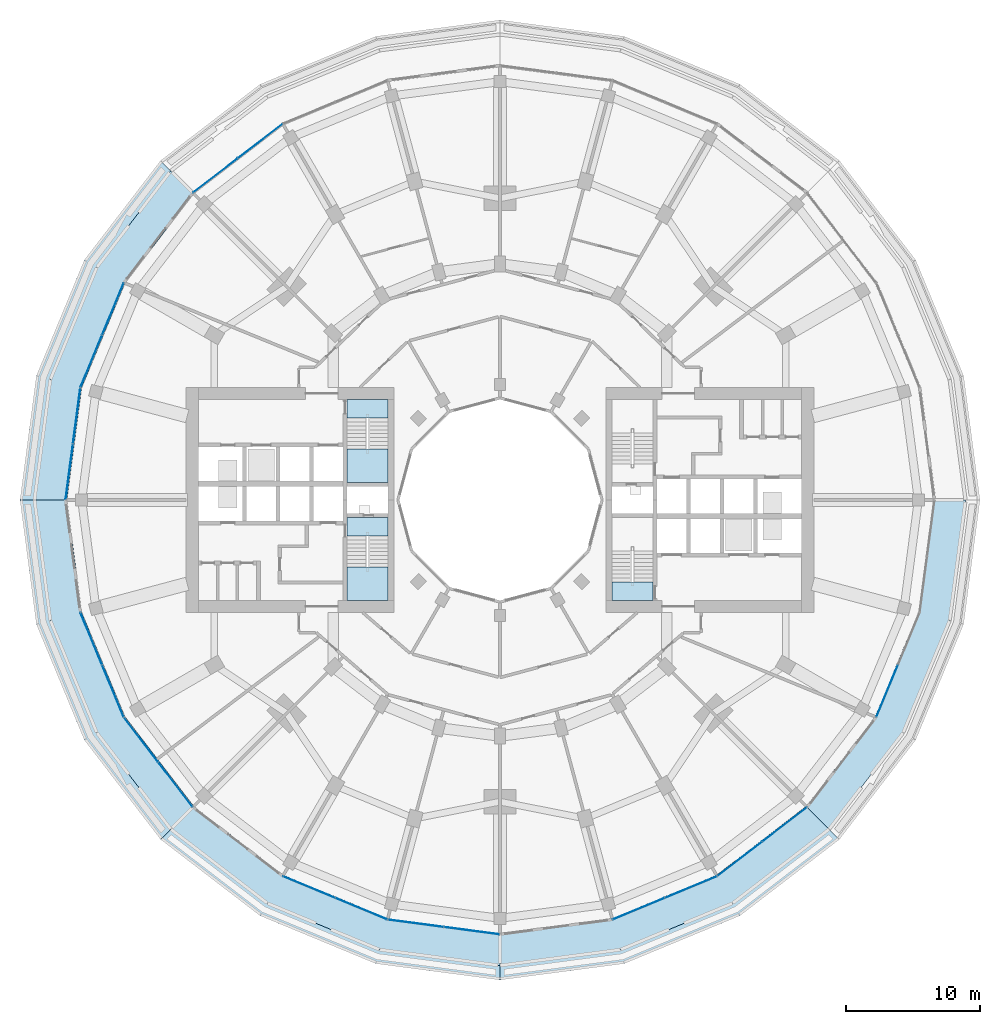
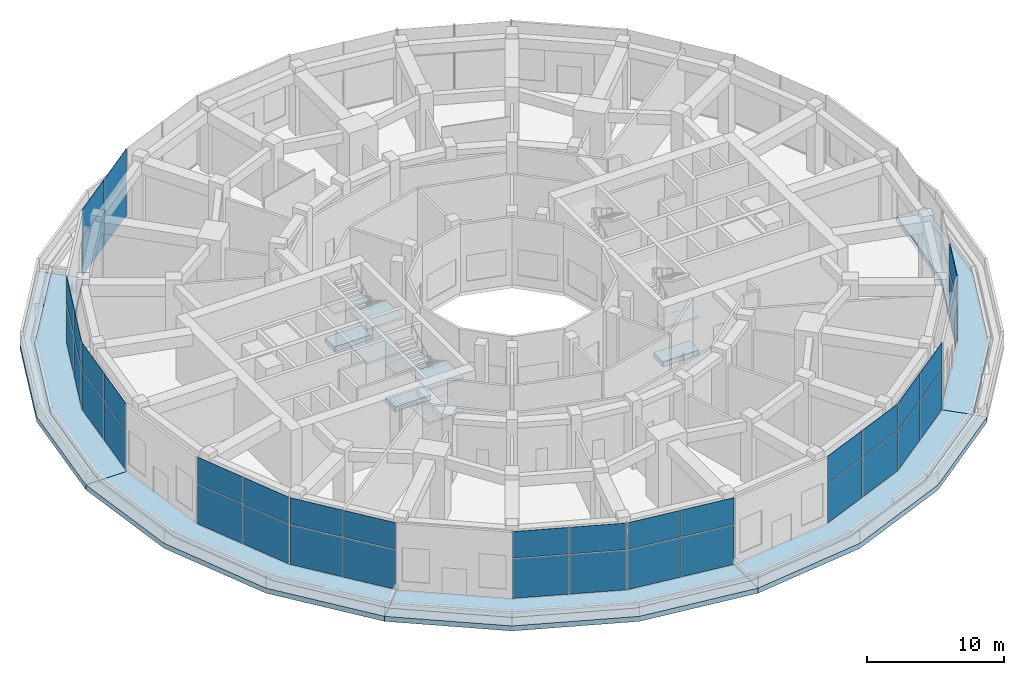
# One storey, part 13 of 23: 38 plates, 19 slabs, 13 elements without a shape of their own.
"""IFC4 building model written with IfcOpenShell, lengths in metres."""

from ifc_helpers import new_model, si_unit, direction, frame, origin, origin_2d, place, context, subcontext, project, spatial, polyline, rectangle, outline, extrude, material, layer, layer_set, type_object, element, aggregate, save


model = new_model("IFC4")

# Units and contexts
model_context = context("Model", 3, precision=1e-05, world=origin(), true_north=direction((0.0, 1.0)))
body_context = subcontext(model_context, "Body", "Model", "MODEL_VIEW")
ifc_project = project(units=[si_unit("LENGTHUNIT", "METRE"), si_unit("AREAUNIT", "SQUARE_METRE"), si_unit("VOLUMEUNIT", "CUBIC_METRE"), si_unit("PLANEANGLEUNIT", "RADIAN"), si_unit("MASSUNIT", "GRAM", prefix="KILO")], contexts=[model_context])

# Site, building, storey
site_placement = place(None, origin())
site = spatial("IfcSite", under=ifc_project, at=site_placement, CompositionType="ELEMENT")
building_placement = place(site_placement, origin())
building = spatial("IfcBuilding", under=site, at=building_placement, Name="Torre Brocal", CompositionType="ELEMENT")
storey_placement = place(building_placement, frame((0.0, 0.0, 17.800048828125)))
storey = spatial("IfcBuildingStorey", under=building, at=storey_placement, Name="L03", CompositionType="ELEMENT", Elevation=17.800048828125)

# Curtain wall, plates
ifc_material_1 = material(Name="Aluminium and glass", Category="aluminium")
ifc_layer_1 = layer(ifc_material_1, 0.199951171875)
ifc_layer_set_1 = layer_set([ifc_layer_1], Name="Aluminium and glass")
curtain_wall_type = type_object("IfcCurtainWallType", Name="CW-6 CURTAIN WALL 6000 HIGH", PredefinedType="NOTDEFINED", material=ifc_layer_set_1)
curtain_wall_1_placement = place(storey_placement, origin())
curtain_wall_1 = element("IfcCurtainWall", 1, at=curtain_wall_1_placement, inside=storey, type_object=curtain_wall_type, Name="CW-6 RUN 9", PredefinedType="NOTDEFINED")
ifc_material_2 = material(Name="Glass, dark tinted laminated", Category="glass")
ifc_layer_2 = layer(ifc_material_2, 0.028076171875)
ifc_layer_set_2 = layer_set([ifc_layer_2], Name="Glass, dark tinted laminated")
plate_type = type_object("IfcPlateType", Name="CW-6 GLASS PANEL 28", PredefinedType="CURTAIN_PANEL", material=ifc_layer_set_2)
plate_1_placement = place(storey_placement, frame((62.113037109375, 101.763671875, 0.06982421875), z_axis=(0.0, 0.0, 1.0), x_axis=(-0.793353340291, -0.608761429009, 0.0)))
plate_1 = element("IfcPlate", 2, at=plate_1_placement, type_object=plate_type, Name="CW6-2 panel 1.1", PredefinedType="CURTAIN_PANEL", context=body_context, shape_type="SweptSolid", body=[
    extrude(rectangle(XDim=4.154052734375, YDim=0.028076171875, at=origin_2d()), origin(), (0.0, 0.0, 1.0), 3.4951171875),
])
plate_2_placement = place(storey_placement, frame((62.113037109375, 101.763671875, 3.634765625), z_axis=(0.0, 0.0, 1.0), x_axis=(-0.793353340291, -0.608761429009, 0.0)))
plate_2 = element("IfcPlate", 3, at=plate_2_placement, type_object=plate_type, Name="CW6-2 panel 1.2", PredefinedType="CURTAIN_PANEL", context=body_context, shape_type="SweptSolid", body=[
    extrude(rectangle(XDim=4.154052734375, YDim=0.028076171875, at=origin_2d()), origin(), (0.0, 0.0, 1.0), 2.364990234375),
])
plate_3_placement = place(storey_placement, frame((58.77783203125, 99.204345703125, 0.06982421875), z_axis=(0.0, 0.0, 1.0), x_axis=(-0.793353340291, -0.608761429009, 0.0)))
plate_3 = element("IfcPlate", 4, at=plate_3_placement, type_object=plate_type, Name="CW6-2 panel 2.1", PredefinedType="CURTAIN_PANEL", context=body_context, shape_type="SweptSolid", body=[
    extrude(rectangle(XDim=4.154052734375, YDim=0.028076171875, at=origin_2d()), origin(), (0.0, 0.0, 1.0), 3.4951171875),
])
plate_4_placement = place(storey_placement, frame((58.77783203125, 99.204345703125, 3.634765625), z_axis=(0.0, 0.0, 1.0), x_axis=(-0.793353340291, -0.608761429009, 0.0)))
plate_4 = element("IfcPlate", 5, at=plate_4_placement, type_object=plate_type, Name="CW6-2 panel 2.2", PredefinedType="CURTAIN_PANEL", context=body_context, shape_type="SweptSolid", body=[
    extrude(rectangle(XDim=4.154052734375, YDim=0.028076171875, at=origin_2d()), origin(), (0.0, 0.0, 1.0), 2.364990234375),
])
aggregate(curtain_wall_1, [plate_1, plate_2, plate_3, plate_4])

curtain_wall_2_placement = place(storey_placement, origin())
curtain_wall_2 = element("IfcCurtainWall", 6, at=curtain_wall_2_placement, inside=storey, type_object=curtain_wall_type, Name="CW-6 RUN 11", PredefinedType="NOTDEFINED")
plate_5_placement = place(storey_placement, frame((51.127685546875, 89.234619140625, 0.06982421875), z_axis=(0.0, 0.0, 1.0), x_axis=(-0.382683432301, -0.923879532538, 0.0)))
plate_5 = element("IfcPlate", 7, at=plate_5_placement, type_object=plate_type, Name="CW6-2 panel 1.1", PredefinedType="CURTAIN_PANEL", context=body_context, shape_type="SweptSolid", body=[
    extrude(rectangle(XDim=4.154052734375, YDim=0.028076171875, at=origin_2d()), origin(), (0.0, 0.0, 1.0), 3.4951171875),
])
plate_6_placement = place(storey_placement, frame((51.127685546875, 89.234619140625, 3.634765625), z_axis=(0.0, 0.0, 1.0), x_axis=(-0.382683432301, -0.923879532538, 0.0)))
plate_6 = element("IfcPlate", 8, at=plate_6_placement, type_object=plate_type, Name="CW6-2 panel 1.2", PredefinedType="CURTAIN_PANEL", context=body_context, shape_type="SweptSolid", body=[
    extrude(rectangle(XDim=4.154052734375, YDim=0.028076171875, at=origin_2d()), origin(), (0.0, 0.0, 1.0), 2.364990234375),
])
plate_7_placement = place(storey_placement, frame((49.518798828125, 85.3505859375, 0.06982421875), z_axis=(0.0, 0.0, 1.0), x_axis=(-0.382683432301, -0.923879532538, 0.0)))
plate_7 = element("IfcPlate", 9, at=plate_7_placement, type_object=plate_type, Name="CW6-2 panel 2.1", PredefinedType="CURTAIN_PANEL", context=body_context, shape_type="SweptSolid", body=[
    extrude(rectangle(XDim=4.154052734375, YDim=0.028076171875, at=origin_2d()), origin(), (0.0, 0.0, 1.0), 3.4951171875),
])
plate_8_placement = place(storey_placement, frame((49.518798828125, 85.3505859375, 3.634765625), z_axis=(0.0, 0.0, 1.0), x_axis=(-0.382683432301, -0.923879532538, 0.0)))
plate_8 = element("IfcPlate", 10, at=plate_8_placement, type_object=plate_type, Name="CW6-2 panel 2.2", PredefinedType="CURTAIN_PANEL", context=body_context, shape_type="SweptSolid", body=[
    extrude(rectangle(XDim=4.154052734375, YDim=0.028076171875, at=origin_2d()), origin(), (0.0, 0.0, 1.0), 2.364990234375),
])
aggregate(curtain_wall_2, [plate_5, plate_6, plate_7, plate_8])

curtain_wall_3_placement = place(storey_placement, origin())
curtain_wall_3 = element("IfcCurtainWall", 11, at=curtain_wall_3_placement, inside=storey, type_object=curtain_wall_type, Name="CW-6 RUN 12", PredefinedType="NOTDEFINED")
plate_9_placement = place(storey_placement, frame((48.42724609375, 81.27685546875, 0.06982421875), z_axis=(0.0, 0.0, 1.0), x_axis=(-0.130526192255, -0.991444861369, 0.0)))
plate_9 = element("IfcPlate", 12, at=plate_9_placement, type_object=plate_type, Name="CW6-2 panel 1.1", PredefinedType="CURTAIN_PANEL", context=body_context, shape_type="SweptSolid", body=[
    extrude(rectangle(XDim=4.154052734375, YDim=0.028076171875, at=origin_2d()), origin(), (0.0, 0.0, 1.0), 3.4951171875),
])
plate_10_placement = place(storey_placement, frame((48.42724609375, 81.27685546875, 3.634765625), z_axis=(0.0, 0.0, 1.0), x_axis=(-0.130526192255, -0.991444861369, 0.0)))
plate_10 = element("IfcPlate", 13, at=plate_10_placement, type_object=plate_type, Name="CW6-2 panel 1.2", PredefinedType="CURTAIN_PANEL", context=body_context, shape_type="SweptSolid", body=[
    extrude(rectangle(XDim=4.154052734375, YDim=0.028076171875, at=origin_2d()), origin(), (0.0, 0.0, 1.0), 2.364990234375),
])
plate_11_placement = place(storey_placement, frame((47.87841796875, 77.10888671875, 0.06982421875), z_axis=(0.0, 0.0, 1.0), x_axis=(-0.130526192255, -0.991444861369, 0.0)))
plate_11 = element("IfcPlate", 14, at=plate_11_placement, type_object=plate_type, Name="CW6-2 panel 2.1", PredefinedType="CURTAIN_PANEL", context=body_context, shape_type="SweptSolid", body=[
    extrude(rectangle(XDim=4.154052734375, YDim=0.028076171875, at=origin_2d()), origin(), (0.0, 0.0, 1.0), 3.4951171875),
])
plate_12_placement = place(storey_placement, frame((47.87841796875, 77.10888671875, 3.634765625), z_axis=(0.0, 0.0, 1.0), x_axis=(-0.130526192255, -0.991444861369, 0.0)))
plate_12 = element("IfcPlate", 15, at=plate_12_placement, type_object=plate_type, Name="CW6-2 panel 2.2", PredefinedType="CURTAIN_PANEL", context=body_context, shape_type="SweptSolid", body=[
    extrude(rectangle(XDim=4.154052734375, YDim=0.028076171875, at=origin_2d()), origin(), (0.0, 0.0, 1.0), 2.364990234375),
])
aggregate(curtain_wall_3, [plate_9, plate_10, plate_11, plate_12])

curtain_wall_4_placement = place(storey_placement, origin())
curtain_wall_4 = element("IfcCurtainWall", 16, at=curtain_wall_4_placement, inside=storey, type_object=curtain_wall_type, Name="CW-6 RUN 14", PredefinedType="NOTDEFINED")
plate_13_placement = place(storey_placement, frame((49.518798828125, 64.6494140625, 0.06982421875), z_axis=(0.0, 0.0, 1.0), x_axis=(0.382683432301, -0.923879532538, 0.0)))
plate_13 = element("IfcPlate", 17, at=plate_13_placement, type_object=plate_type, Name="CW6-2 panel 1.1", PredefinedType="CURTAIN_PANEL", context=body_context, shape_type="SweptSolid", body=[
    extrude(rectangle(XDim=4.154052734375, YDim=0.028076171875, at=origin_2d()), origin(), (0.0, 0.0, 1.0), 3.4951171875),
])
plate_14_placement = place(storey_placement, frame((49.518798828125, 64.6494140625, 3.634765625), z_axis=(0.0, 0.0, 1.0), x_axis=(0.382683432301, -0.923879532538, 0.0)))
plate_14 = element("IfcPlate", 18, at=plate_14_placement, type_object=plate_type, Name="CW6-2 panel 1.2", PredefinedType="CURTAIN_PANEL", context=body_context, shape_type="SweptSolid", body=[
    extrude(rectangle(XDim=4.154052734375, YDim=0.028076171875, at=origin_2d()), origin(), (0.0, 0.0, 1.0), 2.364990234375),
])
plate_15_placement = place(storey_placement, frame((51.127685546875, 60.765380859375, 0.06982421875), z_axis=(0.0, 0.0, 1.0), x_axis=(0.382683432301, -0.923879532538, 0.0)))
plate_15 = element("IfcPlate", 19, at=plate_15_placement, type_object=plate_type, Name="CW6-2 panel 2.1", PredefinedType="CURTAIN_PANEL", context=body_context, shape_type="SweptSolid", body=[
    extrude(rectangle(XDim=4.154052734375, YDim=0.028076171875, at=origin_2d()), origin(), (0.0, 0.0, 1.0), 3.4951171875),
])
plate_16_placement = place(storey_placement, frame((51.127685546875, 60.765380859375, 3.634765625), z_axis=(0.0, 0.0, 1.0), x_axis=(0.382683432301, -0.923879532538, 0.0)))
plate_16 = element("IfcPlate", 20, at=plate_16_placement, type_object=plate_type, Name="CW6-2 panel 2.2", PredefinedType="CURTAIN_PANEL", context=body_context, shape_type="SweptSolid", body=[
    extrude(rectangle(XDim=4.154052734375, YDim=0.028076171875, at=origin_2d()), origin(), (0.0, 0.0, 1.0), 2.364990234375),
])
aggregate(curtain_wall_4, [plate_13, plate_14, plate_15, plate_16])

curtain_wall_5_placement = place(storey_placement, origin())
curtain_wall_5 = element("IfcCurtainWall", 21, at=curtain_wall_5_placement, inside=storey, type_object=curtain_wall_type, Name="CW-6 RUN 15", PredefinedType="NOTDEFINED")
plate_17_placement = place(storey_placement, frame((53.236328125, 57.113037109375, 0.06982421875), z_axis=(0.0, 0.0, 1.0), x_axis=(0.608761429009, -0.793353340291, 0.0)))
plate_17 = element("IfcPlate", 22, at=plate_17_placement, type_object=plate_type, Name="CW6-2 panel 1.1", PredefinedType="CURTAIN_PANEL", context=body_context, shape_type="SweptSolid", body=[
    extrude(rectangle(XDim=4.154052734375, YDim=0.028076171875, at=origin_2d()), origin(), (0.0, 0.0, 1.0), 3.4951171875),
])
plate_18_placement = place(storey_placement, frame((53.236328125, 57.113037109375, 3.634765625), z_axis=(0.0, 0.0, 1.0), x_axis=(0.608761429009, -0.793353340291, 0.0)))
plate_18 = element("IfcPlate", 23, at=plate_18_placement, type_object=plate_type, Name="CW6-2 panel 1.2", PredefinedType="CURTAIN_PANEL", context=body_context, shape_type="SweptSolid", body=[
    extrude(rectangle(XDim=4.154052734375, YDim=0.028076171875, at=origin_2d()), origin(), (0.0, 0.0, 1.0), 2.364990234375),
])
plate_19_placement = place(storey_placement, frame((55.795654296875, 53.77783203125, 0.06982421875), z_axis=(0.0, 0.0, 1.0), x_axis=(0.608761429009, -0.793353340291, 0.0)))
plate_19 = element("IfcPlate", 24, at=plate_19_placement, type_object=plate_type, Name="CW6-2 panel 2.1", PredefinedType="CURTAIN_PANEL", context=body_context, shape_type="SweptSolid", body=[
    extrude(rectangle(XDim=4.154052734375, YDim=0.028076171875, at=origin_2d()), origin(), (0.0, 0.0, 1.0), 3.4951171875),
])
plate_20_placement = place(storey_placement, frame((55.795654296875, 53.77783203125, 3.634765625), z_axis=(0.0, 0.0, 1.0), x_axis=(0.608761429009, -0.793353340291, 0.0)))
plate_20 = element("IfcPlate", 25, at=plate_20_placement, type_object=plate_type, Name="CW6-2 panel 2.2", PredefinedType="CURTAIN_PANEL", context=body_context, shape_type="SweptSolid", body=[
    extrude(rectangle(XDim=4.154052734375, YDim=0.028076171875, at=origin_2d()), origin(), (0.0, 0.0, 1.0), 2.364990234375),
])
aggregate(curtain_wall_5, [plate_17, plate_18, plate_19, plate_20])

curtain_wall_6_placement = place(storey_placement, origin())
curtain_wall_6 = element("IfcCurtainWall", 26, at=curtain_wall_6_placement, inside=storey, type_object=curtain_wall_type, Name="CW-6 RUN 17", PredefinedType="NOTDEFINED")
plate_21_placement = place(storey_placement, frame((65.765380859375, 46.127685546875, 0.06982421875), z_axis=(0.0, 0.0, 1.0), x_axis=(0.923879532538, -0.382683432301, 0.0)))
plate_21 = element("IfcPlate", 27, at=plate_21_placement, type_object=plate_type, Name="CW6-2 panel 1.1", PredefinedType="CURTAIN_PANEL", context=body_context, shape_type="SweptSolid", body=[
    extrude(rectangle(XDim=4.154052734375, YDim=0.028076171875, at=origin_2d()), origin(), (0.0, 0.0, 1.0), 3.4951171875),
])
plate_22_placement = place(storey_placement, frame((65.765380859375, 46.127685546875, 3.634765625), z_axis=(0.0, 0.0, 1.0), x_axis=(0.923879532538, -0.382683432301, 0.0)))
plate_22 = element("IfcPlate", 28, at=plate_22_placement, type_object=plate_type, Name="CW6-2 panel 1.2", PredefinedType="CURTAIN_PANEL", context=body_context, shape_type="SweptSolid", body=[
    extrude(rectangle(XDim=4.154052734375, YDim=0.028076171875, at=origin_2d()), origin(), (0.0, 0.0, 1.0), 2.364990234375),
])
plate_23_placement = place(storey_placement, frame((69.6494140625, 44.518798828125, 0.06982421875), z_axis=(0.0, 0.0, 1.0), x_axis=(0.923879532538, -0.382683432301, 0.0)))
plate_23 = element("IfcPlate", 29, at=plate_23_placement, type_object=plate_type, Name="CW6-2 panel 2.1", PredefinedType="CURTAIN_PANEL", context=body_context, shape_type="SweptSolid", body=[
    extrude(rectangle(XDim=4.154052734375, YDim=0.028076171875, at=origin_2d()), origin(), (0.0, 0.0, 1.0), 3.4951171875),
])
plate_24_placement = place(storey_placement, frame((69.6494140625, 44.518798828125, 3.634765625), z_axis=(0.0, 0.0, 1.0), x_axis=(0.923879532538, -0.382683432301, 0.0)))
plate_24 = element("IfcPlate", 30, at=plate_24_placement, type_object=plate_type, Name="CW6-2 panel 2.2", PredefinedType="CURTAIN_PANEL", context=body_context, shape_type="SweptSolid", body=[
    extrude(rectangle(XDim=4.154052734375, YDim=0.028076171875, at=origin_2d()), origin(), (0.0, 0.0, 1.0), 2.364990234375),
])
aggregate(curtain_wall_6, [plate_21, plate_22, plate_23, plate_24])

curtain_wall_7_placement = place(storey_placement, origin())
curtain_wall_7 = element("IfcCurtainWall", 31, at=curtain_wall_7_placement, inside=storey, type_object=curtain_wall_type, Name="CW-6 RUN 18", PredefinedType="NOTDEFINED")
plate_25_placement = place(storey_placement, frame((73.72314453125, 43.42724609375, 0.06982421875), z_axis=(0.0, 0.0, 1.0), x_axis=(0.991444861369, -0.130526192255, 0.0)))
plate_25 = element("IfcPlate", 32, at=plate_25_placement, type_object=plate_type, Name="CW6-2 panel 1.1", PredefinedType="CURTAIN_PANEL", context=body_context, shape_type="SweptSolid", body=[
    extrude(rectangle(XDim=4.154052734375, YDim=0.028076171875, at=origin_2d()), origin(), (0.0, 0.0, 1.0), 3.4951171875),
])
plate_26_placement = place(storey_placement, frame((73.72314453125, 43.42724609375, 3.634765625), z_axis=(0.0, 0.0, 1.0), x_axis=(0.991444861369, -0.130526192255, 0.0)))
plate_26 = element("IfcPlate", 33, at=plate_26_placement, type_object=plate_type, Name="CW6-2 panel 1.2", PredefinedType="CURTAIN_PANEL", context=body_context, shape_type="SweptSolid", body=[
    extrude(rectangle(XDim=4.154052734375, YDim=0.028076171875, at=origin_2d()), origin(), (0.0, 0.0, 1.0), 2.364990234375),
])
plate_27_placement = place(storey_placement, frame((77.89111328125, 42.87841796875, 0.06982421875), z_axis=(0.0, 0.0, 1.0), x_axis=(0.991444861369, -0.130526192255, 0.0)))
plate_27 = element("IfcPlate", 34, at=plate_27_placement, type_object=plate_type, Name="CW6-2 panel 2.1", PredefinedType="CURTAIN_PANEL", context=body_context, shape_type="SweptSolid", body=[
    extrude(rectangle(XDim=4.154052734375, YDim=0.028076171875, at=origin_2d()), origin(), (0.0, 0.0, 1.0), 3.4951171875),
])
plate_28_placement = place(storey_placement, frame((77.89111328125, 42.87841796875, 3.634765625), z_axis=(0.0, 0.0, 1.0), x_axis=(0.991444861369, -0.130526192255, 0.0)))
plate_28 = element("IfcPlate", 35, at=plate_28_placement, type_object=plate_type, Name="CW6-2 panel 2.2", PredefinedType="CURTAIN_PANEL", context=body_context, shape_type="SweptSolid", body=[
    extrude(rectangle(XDim=4.154052734375, YDim=0.028076171875, at=origin_2d()), origin(), (0.0, 0.0, 1.0), 2.364990234375),
])
aggregate(curtain_wall_7, [plate_25, plate_26, plate_27, plate_28])

curtain_wall_8_placement = place(storey_placement, origin())
curtain_wall_8 = element("IfcCurtainWall", 36, at=curtain_wall_8_placement, inside=storey, type_object=curtain_wall_type, Name="CW-6 RUN 20", PredefinedType="NOTDEFINED")
plate_29_placement = place(storey_placement, frame((90.3505859375, 44.518798828125, 0.06982421875), z_axis=(0.0, 0.0, 1.0), x_axis=(0.923879532538, 0.382683432301, 0.0)))
plate_29 = element("IfcPlate", 37, at=plate_29_placement, type_object=plate_type, Name="CW6-2 panel 1.1", PredefinedType="CURTAIN_PANEL", context=body_context, shape_type="SweptSolid", body=[
    extrude(rectangle(XDim=4.154052734375, YDim=0.028076171875, at=origin_2d()), origin(), (0.0, 0.0, 1.0), 3.4951171875),
])
plate_30_placement = place(storey_placement, frame((90.3505859375, 44.518798828125, 3.634765625), z_axis=(0.0, 0.0, 1.0), x_axis=(0.923879532538, 0.382683432301, 0.0)))
plate_30 = element("IfcPlate", 38, at=plate_30_placement, type_object=plate_type, Name="CW6-2 panel 1.2", PredefinedType="CURTAIN_PANEL", context=body_context, shape_type="SweptSolid", body=[
    extrude(rectangle(XDim=4.154052734375, YDim=0.028076171875, at=origin_2d()), origin(), (0.0, 0.0, 1.0), 2.364990234375),
])
plate_31_placement = place(storey_placement, frame((94.234619140625, 46.127685546875, 0.06982421875), z_axis=(0.0, 0.0, 1.0), x_axis=(0.923879532538, 0.382683432301, 0.0)))
plate_31 = element("IfcPlate", 39, at=plate_31_placement, type_object=plate_type, Name="CW6-2 panel 2.1", PredefinedType="CURTAIN_PANEL", context=body_context, shape_type="SweptSolid", body=[
    extrude(rectangle(XDim=4.154052734375, YDim=0.028076171875, at=origin_2d()), origin(), (0.0, 0.0, 1.0), 3.4951171875),
])
plate_32_placement = place(storey_placement, frame((94.234619140625, 46.127685546875, 3.634765625), z_axis=(0.0, 0.0, 1.0), x_axis=(0.923879532538, 0.382683432301, 0.0)))
plate_32 = element("IfcPlate", 40, at=plate_32_placement, type_object=plate_type, Name="CW6-2 panel 2.2", PredefinedType="CURTAIN_PANEL", context=body_context, shape_type="SweptSolid", body=[
    extrude(rectangle(XDim=4.154052734375, YDim=0.028076171875, at=origin_2d()), origin(), (0.0, 0.0, 1.0), 2.364990234375),
])
aggregate(curtain_wall_8, [plate_29, plate_30, plate_31, plate_32])

curtain_wall_9_placement = place(storey_placement, origin())
curtain_wall_9 = element("IfcCurtainWall", 41, at=curtain_wall_9_placement, inside=storey, type_object=curtain_wall_type, Name="CW-6 RUN 21", PredefinedType="NOTDEFINED")
plate_33_placement = place(storey_placement, frame((97.886962890625, 48.236328125, 0.06982421875), z_axis=(0.0, 0.0, 1.0), x_axis=(0.793353340291, 0.608761429009, 0.0)))
plate_33 = element("IfcPlate", 42, at=plate_33_placement, type_object=plate_type, Name="CW6-2 panel 1.1", PredefinedType="CURTAIN_PANEL", context=body_context, shape_type="SweptSolid", body=[
    extrude(rectangle(XDim=4.154052734375, YDim=0.028076171875, at=origin_2d()), origin(), (0.0, 0.0, 1.0), 3.4951171875),
])
plate_34_placement = place(storey_placement, frame((97.886962890625, 48.236328125, 3.634765625), z_axis=(0.0, 0.0, 1.0), x_axis=(0.793353340291, 0.608761429009, 0.0)))
plate_34 = element("IfcPlate", 43, at=plate_34_placement, type_object=plate_type, Name="CW6-2 panel 1.2", PredefinedType="CURTAIN_PANEL", context=body_context, shape_type="SweptSolid", body=[
    extrude(rectangle(XDim=4.154052734375, YDim=0.028076171875, at=origin_2d()), origin(), (0.0, 0.0, 1.0), 2.364990234375),
])
plate_35_placement = place(storey_placement, frame((101.22216796875, 50.795654296875, 0.06982421875), z_axis=(0.0, 0.0, 1.0), x_axis=(0.793353340291, 0.608761429009, 0.0)))
plate_35 = element("IfcPlate", 44, at=plate_35_placement, type_object=plate_type, Name="CW6-2 panel 2.1", PredefinedType="CURTAIN_PANEL", context=body_context, shape_type="SweptSolid", body=[
    extrude(rectangle(XDim=4.154052734375, YDim=0.028076171875, at=origin_2d()), origin(), (0.0, 0.0, 1.0), 3.4951171875),
])
plate_36_placement = place(storey_placement, frame((101.22216796875, 50.795654296875, 3.634765625), z_axis=(0.0, 0.0, 1.0), x_axis=(0.793353340291, 0.608761429009, 0.0)))
plate_36 = element("IfcPlate", 45, at=plate_36_placement, type_object=plate_type, Name="CW6-2 panel 2.2", PredefinedType="CURTAIN_PANEL", context=body_context, shape_type="SweptSolid", body=[
    extrude(rectangle(XDim=4.154052734375, YDim=0.028076171875, at=origin_2d()), origin(), (0.0, 0.0, 1.0), 2.364990234375),
])
aggregate(curtain_wall_9, [plate_33, plate_34, plate_35, plate_36])

curtain_wall_10_placement = place(storey_placement, origin())
curtain_wall_10 = element("IfcCurtainWall", 46, at=curtain_wall_10_placement, inside=storey, type_object=curtain_wall_type, Name="CW-6 RUN 23", PredefinedType="NOTDEFINED")
plate_37_placement = place(storey_placement, frame((108.872314453125, 60.765380859375, 0.06982421875), z_axis=(0.0, 0.0, 1.0), x_axis=(0.382683432301, 0.923879532538, 0.0)))
plate_37 = element("IfcPlate", 47, at=plate_37_placement, type_object=plate_type, Name="CW6-2 panel 1.1", PredefinedType="CURTAIN_PANEL", context=body_context, shape_type="SweptSolid", body=[
    extrude(rectangle(XDim=4.154052734375, YDim=0.028076171875, at=origin_2d()), origin(), (0.0, 0.0, 1.0), 3.4951171875),
])
plate_38_placement = place(storey_placement, frame((108.872314453125, 60.765380859375, 3.634765625), z_axis=(0.0, 0.0, 1.0), x_axis=(0.382683432301, 0.923879532538, 0.0)))
plate_38 = element("IfcPlate", 48, at=plate_38_placement, type_object=plate_type, Name="CW6-2 panel 1.2", PredefinedType="CURTAIN_PANEL", context=body_context, shape_type="SweptSolid", body=[
    extrude(rectangle(XDim=4.154052734375, YDim=0.028076171875, at=origin_2d()), origin(), (0.0, 0.0, 1.0), 2.364990234375),
])
aggregate(curtain_wall_10, [plate_37, plate_38])

# Stair, slab
ifc_material_3 = material(Name="Concrete C50", Category="concrete")
stair_type = type_object("IfcStairType", Name="EXIT STAIR", PredefinedType="HALF_TURN_STAIR", material=ifc_material_3)
stair_1_placement = place(storey_placement, origin())
stair_1 = element("IfcStair", 49, at=stair_1_placement, inside=storey, type_object=stair_type, Name="EXIT STAIR ST2", PredefinedType="HALF_TURN_STAIR")
ifc_material_4 = material(Name="Concrete C50", Category="concrete")
ifc_layer_3 = layer(ifc_material_4, 0.449951171875)
ifc_layer_set_3 = layer_set([ifc_layer_3], Name="Concrete C50")
slab_type_1 = type_object("IfcSlabType", Name="FLOOR LANDING 450", PredefinedType="LANDING", material=ifc_layer_set_3)
slab_1_placement = place(storey_placement, frame((0.0, 0.0, -0.449951171875)))
slab_1 = element("IfcSlab", 50, at=slab_1_placement, type_object=slab_type_1, Name="ST2 landing 1", PredefinedType="LANDING", context=body_context, shape_type="SweptSolid", body=[
    extrude(outline(polyline([(88.35009765625, 67.5), (91.39990234375, 67.5), (91.39990234375, 68.89990234375), (88.35009765625, 68.89990234375), (88.35009765625, 67.5)])), origin(), (0.0, 0.0, 1.0), 0.449951171875),
])

stair_2_placement = place(storey_placement, origin())
stair_2 = element("IfcStair", 51, at=stair_2_placement, inside=storey, type_object=stair_type, Name="EXIT STAIR ST3", PredefinedType="HALF_TURN_STAIR")
slab_2_placement = place(storey_placement, frame((0.0, 0.0, -0.449951171875)))
slab_2 = element("IfcSlab", 52, at=slab_2_placement, type_object=slab_type_1, Name="ST3 landing 1", PredefinedType="LANDING", context=body_context, shape_type="SweptSolid", body=[
    extrude(outline(polyline([(71.64990234375, 73.699951171875), (68.60009765625, 73.699951171875), (68.60009765625, 72.300048828125), (71.64990234375, 72.300048828125), (71.64990234375, 73.699951171875)])), origin(), (0.0, 0.0, 1.0), 0.449951171875),
])

stair_3_placement = place(storey_placement, origin())
stair_3 = element("IfcStair", 53, at=stair_3_placement, inside=storey, type_object=stair_type, Name="EXIT STAIR ST4", PredefinedType="HALF_TURN_STAIR")
slab_3_placement = place(storey_placement, frame((0.0, 0.0, -0.449951171875)))
slab_3 = element("IfcSlab", 54, at=slab_3_placement, type_object=slab_type_1, Name="ST4 landing 1", PredefinedType="LANDING", context=body_context, shape_type="SweptSolid", body=[
    extrude(outline(polyline([(71.64990234375, 82.5), (68.60009765625, 82.5), (68.60009765625, 81.10009765625), (71.64990234375, 81.10009765625), (71.64990234375, 82.5)])), origin(), (0.0, 0.0, 1.0), 0.449951171875),
])

# Slabs
ifc_material_5 = material(Name="Concrete C45", Category="concrete")
ifc_layer_4 = layer(ifc_material_5, 0.449951171875)
ifc_layer_set_4 = layer_set([ifc_layer_4], Name="Concrete C45")
slab_type_2 = type_object("IfcSlabType", Name="GREEN ROOF PLANTING BED SLAB 450 C45", PredefinedType="ROOF", material=ifc_layer_set_4)
slab_4_placement = place(storey_placement, frame((0.0, 0.0, -0.449951171875)))
element("IfcSlab", 55, at=slab_4_placement, inside=storey, type_object=slab_type_2, Name="Slab ST-04", PredefinedType="ROOF", context=body_context, shape_type="SweptSolid", body=[
    extrude(outline(polyline([(54.686767578125, 100.313232421875), (55.449951171875, 99.550048828125), (49.932373046875, 92.359375), (46.464111328125, 83.98583984375), (45.281005859375, 75.0), (44.20166015625, 75.0), (45.421630859375, 84.265380859375), (48.997802734375, 92.899169921875), (54.686767578125, 100.313232421875)])), origin(), (0.0, 0.0, 1.0), 0.449951171875),
])
slab_5_placement = place(storey_placement, frame((0.0, 0.0, -0.449951171875)))
element("IfcSlab", 56, at=slab_5_placement, inside=storey, type_object=slab_type_2, Name="Slab ST-04", PredefinedType="ROOF", context=body_context, shape_type="SweptSolid", body=[
    extrude(outline(polyline([(44.20166015625, 75.0), (45.281005859375, 75.0), (46.464111328125, 66.01416015625), (49.932373046875, 57.640625), (55.449951171875, 50.449951171875), (54.686767578125, 49.686767578125), (48.997802734375, 57.100830078125), (45.421630859375, 65.734619140625), (44.20166015625, 75.0)])), origin(), (0.0, 0.0, 1.0), 0.449951171875),
])
slab_6_placement = place(storey_placement, frame((0.0, 0.0, -0.449951171875)))
element("IfcSlab", 57, at=slab_6_placement, inside=storey, type_object=slab_type_2, Name="Slab ST-04", PredefinedType="ROOF", context=body_context, shape_type="SweptSolid", body=[
    extrude(outline(polyline([(54.686767578125, 49.686767578125), (55.449951171875, 50.449951171875), (62.640625, 44.932373046875), (71.01416015625, 41.464111328125), (80.0, 40.281005859375), (80.0, 39.20166015625), (70.734619140625, 40.421630859375), (62.100830078125, 43.997802734375), (54.686767578125, 49.686767578125)])), origin(), (0.0, 0.0, 1.0), 0.449951171875),
])
slab_7_placement = place(storey_placement, frame((0.0, 0.0, -0.449951171875)))
element("IfcSlab", 58, at=slab_7_placement, inside=storey, type_object=slab_type_2, Name="Slab ST-04", PredefinedType="ROOF", context=body_context, shape_type="SweptSolid", body=[
    extrude(outline(polyline([(80.0, 39.20166015625), (80.0, 40.281005859375), (88.98583984375, 41.464111328125), (97.359375, 44.932373046875), (104.550048828125, 50.449951171875), (105.313232421875, 49.686767578125), (97.899169921875, 43.997802734375), (89.265380859375, 40.421630859375), (80.0, 39.20166015625)])), origin(), (0.0, 0.0, 1.0), 0.449951171875),
])

# Slab
ifc_material_6 = material(Name="Concrete C50", Category="concrete")
ifc_layer_5 = layer(ifc_material_6, 0.199951171875)
ifc_layer_set_5 = layer_set([ifc_layer_5], Name="Concrete C50")
slab_type_3 = type_object("IfcSlabType", Name="MID LANDING +1500", PredefinedType="LANDING", material=ifc_layer_set_5)
slab_8_placement = place(storey_placement, frame((0.0, 0.0, 1.300048828125)))
slab_8 = element("IfcSlab", 59, at=slab_8_placement, type_object=slab_type_3, Name="ST3 landing 2", PredefinedType="LANDING", context=body_context, shape_type="SweptSolid", body=[
    extrude(outline(polyline([(71.64990234375, 69.988037109375), (68.60009765625, 69.988037109375), (68.60009765625, 67.5), (71.64990234375, 67.5), (71.64990234375, 69.988037109375)])), origin(), (0.0, 0.0, 1.0), 0.199951171875),
])

slab_9_placement = place(storey_placement, frame((0.0, 0.0, 1.300048828125)))
slab_9 = element("IfcSlab", 60, at=slab_9_placement, type_object=slab_type_3, Name="ST4 landing 2", PredefinedType="LANDING", context=body_context, shape_type="SweptSolid", body=[
    extrude(outline(polyline([(71.64990234375, 78.7880859375), (68.60009765625, 78.7880859375), (68.60009765625, 76.300048828125), (71.64990234375, 76.300048828125), (71.64990234375, 78.7880859375)])), origin(), (0.0, 0.0, 1.0), 0.199951171875),
])

ifc_material_7 = material(Name="Concrete C50", Category="concrete")
ifc_layer_6 = layer(ifc_material_7, 0.199951171875)
ifc_layer_set_6 = layer_set([ifc_layer_6], Name="Concrete C50")
slab_type_4 = type_object("IfcSlabType", Name="MID LANDING +3000", PredefinedType="LANDING", material=ifc_layer_set_6)
slab_10_placement = place(storey_placement, frame((0.0, 0.0, 2.800048828125)))
slab_10 = element("IfcSlab", 61, at=slab_10_placement, type_object=slab_type_4, Name="ST2 landing 3", PredefinedType="LANDING", context=body_context, shape_type="SweptSolid", body=[
    extrude(outline(polyline([(88.35009765625, 67.5), (91.39990234375, 67.5), (91.39990234375, 68.89990234375), (88.35009765625, 68.89990234375), (88.35009765625, 67.5)])), origin(), (0.0, 0.0, 1.0), 0.199951171875),
])

aggregate(stair_1, [slab_1, slab_10])

slab_11_placement = place(storey_placement, frame((0.0, 0.0, 2.800048828125)))
slab_11 = element("IfcSlab", 62, at=slab_11_placement, type_object=slab_type_4, Name="ST3 landing 3", PredefinedType="LANDING", context=body_context, shape_type="SweptSolid", body=[
    extrude(outline(polyline([(71.64990234375, 73.699951171875), (68.60009765625, 73.699951171875), (68.60009765625, 72.300048828125), (71.64990234375, 72.300048828125), (71.64990234375, 73.699951171875)])), origin(), (0.0, 0.0, 1.0), 0.199951171875),
])

slab_12_placement = place(storey_placement, frame((0.0, 0.0, 2.800048828125)))
slab_12 = element("IfcSlab", 63, at=slab_12_placement, type_object=slab_type_4, Name="ST4 landing 3", PredefinedType="LANDING", context=body_context, shape_type="SweptSolid", body=[
    extrude(outline(polyline([(71.64990234375, 82.5), (68.60009765625, 82.5), (68.60009765625, 81.10009765625), (71.64990234375, 81.10009765625), (71.64990234375, 82.5)])), origin(), (0.0, 0.0, 1.0), 0.199951171875),
])

ifc_material_8 = material(Name="Concrete C50", Category="concrete")
ifc_layer_7 = layer(ifc_material_8, 0.199951171875)
ifc_layer_set_7 = layer_set([ifc_layer_7], Name="Concrete C50")
slab_type_5 = type_object("IfcSlabType", Name="MID LANDING +4500", PredefinedType="LANDING", material=ifc_layer_set_7)
slab_13_placement = place(storey_placement, frame((0.0, 0.0, 4.300048828125)))
slab_13 = element("IfcSlab", 64, at=slab_13_placement, type_object=slab_type_5, Name="ST3 landing 4", PredefinedType="LANDING", context=body_context, shape_type="SweptSolid", body=[
    extrude(outline(polyline([(71.64990234375, 69.988037109375), (68.60009765625, 69.988037109375), (68.60009765625, 67.5), (71.64990234375, 67.5), (71.64990234375, 69.988037109375)])), origin(), (0.0, 0.0, 1.0), 0.199951171875),
])

aggregate(stair_2, [slab_2, slab_8, slab_11, slab_13])

slab_14_placement = place(storey_placement, frame((0.0, 0.0, 4.300048828125)))
slab_14 = element("IfcSlab", 65, at=slab_14_placement, type_object=slab_type_5, Name="ST4 landing 4", PredefinedType="LANDING", context=body_context, shape_type="SweptSolid", body=[
    extrude(outline(polyline([(71.64990234375, 78.7880859375), (68.60009765625, 78.7880859375), (68.60009765625, 76.300048828125), (71.64990234375, 76.300048828125), (71.64990234375, 78.7880859375)])), origin(), (0.0, 0.0, 1.0), 0.199951171875),
])

aggregate(stair_3, [slab_3, slab_9, slab_12, slab_14])

# Slabs
ifc_material_9 = material(Name="Concrete C45", Category="concrete")
ifc_layer_8 = layer(ifc_material_9, 0.449951171875)
ifc_layer_set_8 = layer_set([ifc_layer_8], Name="Concrete C45")
slab_type_6 = type_object("IfcSlabType", Name="PT TERRACE SLAB 450 C45", PredefinedType="ROOF", material=ifc_layer_set_8)
slab_15_placement = place(storey_placement, frame((0.0, 0.0, -0.449951171875)))
element("IfcSlab", 66, at=slab_15_placement, inside=storey, type_object=slab_type_6, Name="Slab ST-03", PredefinedType="ROOF", context=body_context, shape_type="SweptSolid", body=[
    extrude(outline(polyline([(52.02880859375, 91.149169921875), (48.80224609375, 83.359375), (47.70166015625, 75.0), (45.281005859375, 75.0), (46.464111328125, 83.98583984375), (49.932373046875, 92.359375), (55.449951171875, 99.550048828125), (57.16162109375, 97.83837890625), (52.02880859375, 91.149169921875)])), origin(), (0.0, 0.0, 1.0), 0.449951171875),
])
slab_16_placement = place(storey_placement, frame((0.0, 0.0, -0.449951171875)))
element("IfcSlab", 67, at=slab_16_placement, inside=storey, type_object=slab_type_6, Name="Slab ST-03", PredefinedType="ROOF", context=body_context, shape_type="SweptSolid", body=[
    extrude(outline(polyline([(48.80224609375, 66.640625), (52.02880859375, 58.850830078125), (57.16162109375, 52.16162109375), (55.449951171875, 50.449951171875), (49.932373046875, 57.640625), (46.464111328125, 66.01416015625), (45.281005859375, 75.0), (47.70166015625, 75.0), (48.80224609375, 66.640625)])), origin(), (0.0, 0.0, 1.0), 0.449951171875),
])
slab_17_placement = place(storey_placement, frame((0.0, 0.0, -0.449951171875)))
element("IfcSlab", 68, at=slab_17_placement, inside=storey, type_object=slab_type_6, Name="Slab ST-03", PredefinedType="ROOF", context=body_context, shape_type="SweptSolid", body=[
    extrude(outline(polyline([(63.850830078125, 47.02880859375), (71.640625, 43.80224609375), (80.0, 42.70166015625), (80.0, 40.281005859375), (71.01416015625, 41.464111328125), (62.640625, 44.932373046875), (55.449951171875, 50.449951171875), (57.16162109375, 52.16162109375), (63.850830078125, 47.02880859375)])), origin(), (0.0, 0.0, 1.0), 0.449951171875),
])
slab_18_placement = place(storey_placement, frame((0.0, 0.0, -0.449951171875)))
element("IfcSlab", 69, at=slab_18_placement, inside=storey, type_object=slab_type_6, Name="Slab ST-03", PredefinedType="ROOF", context=body_context, shape_type="SweptSolid", body=[
    extrude(outline(polyline([(88.359375, 43.80224609375), (96.149169921875, 47.02880859375), (102.83837890625, 52.16162109375), (104.550048828125, 50.449951171875), (97.359375, 44.932373046875), (88.98583984375, 41.464111328125), (80.0, 40.281005859375), (80.0, 42.70166015625), (88.359375, 43.80224609375)])), origin(), (0.0, 0.0, 1.0), 0.449951171875),
])
slab_19_placement = place(storey_placement, frame((0.0, 0.0, -0.449951171875)))
element("IfcSlab", 70, at=slab_19_placement, inside=storey, type_object=slab_type_6, Name="Slab ST-03", PredefinedType="ROOF", context=body_context, shape_type="SweptSolid", body=[
    extrude(outline(polyline([(107.97119140625, 58.850830078125), (111.19775390625, 66.640625), (112.29833984375, 75.0), (114.718994140625, 75.0), (113.535888671875, 66.01416015625), (110.067626953125, 57.640625), (104.550048828125, 50.449951171875), (102.83837890625, 52.16162109375), (107.97119140625, 58.850830078125)])), origin(), (0.0, 0.0, 1.0), 0.449951171875),
])

save(model, "model.ifc")
